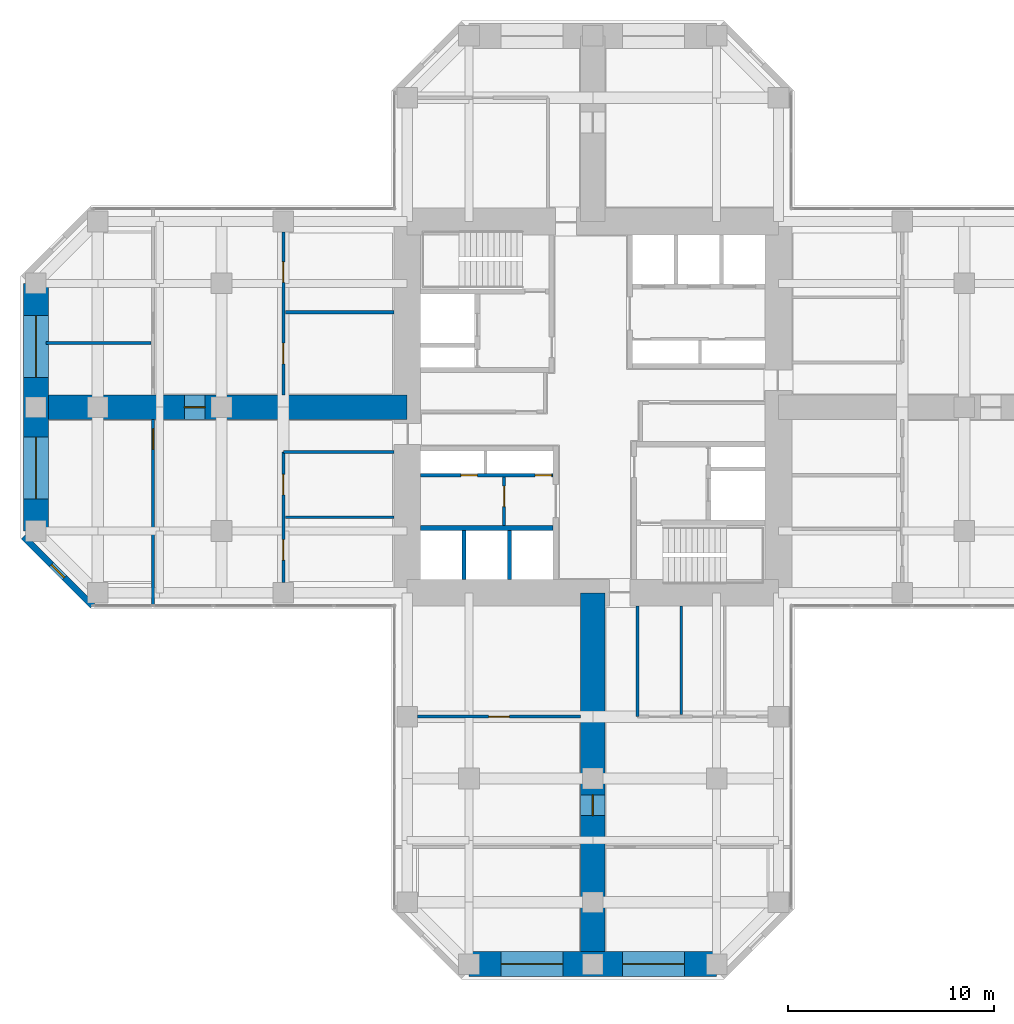
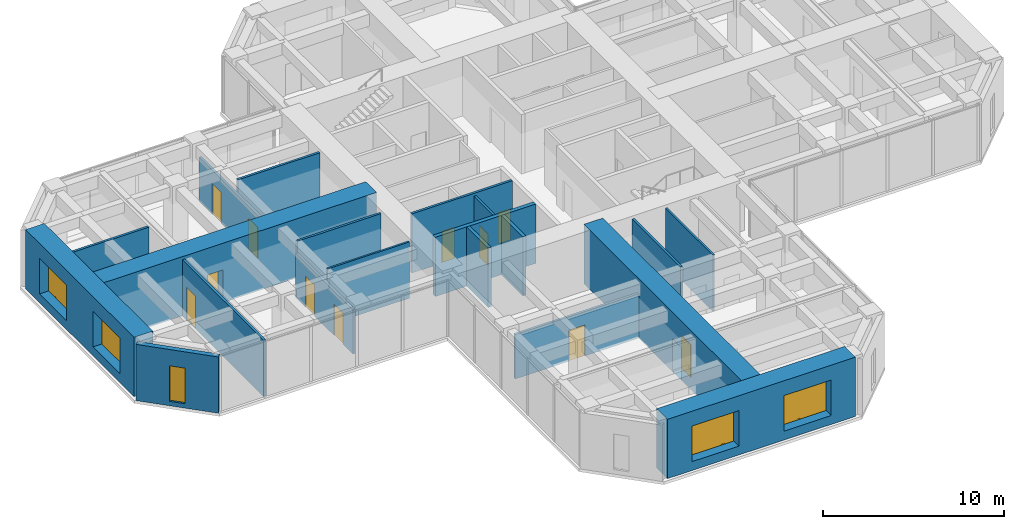
# One storey, part 8 of 13: 20 walls, 11 doors, 5 windows, 16 openings.
"""IFC4 building model written with IfcOpenShell, lengths in metres."""

from ifc_helpers import new_model, si_unit, direction, frame, frame_2d, origin, place, context, subcontext, project, spatial, rectangle, hollow_rectangle, extrude, material, layer, layer_set, constituent, constituent_set, type_object, element, fill, save


model = new_model("IFC4")

# Units and contexts
model_context = context("Model", 3, precision=1e-05, world=origin(), true_north=direction((0.0, 1.0)))
body_context = subcontext(model_context, "Body", "Model", "MODEL_VIEW")
ifc_project = project(units=[si_unit("LENGTHUNIT", "METRE"), si_unit("AREAUNIT", "SQUARE_METRE"), si_unit("VOLUMEUNIT", "CUBIC_METRE"), si_unit("PLANEANGLEUNIT", "RADIAN"), si_unit("MASSUNIT", "GRAM", prefix="KILO")], contexts=[model_context])

# Site, building, storey
site_placement = place(None, origin())
site = spatial("IfcSite", under=ifc_project, at=site_placement, CompositionType="ELEMENT")
building_placement = place(site_placement, origin())
building = spatial("IfcBuilding", under=site, at=building_placement, Name="Torre Cruceta", CompositionType="ELEMENT")
storey_placement = place(building_placement, frame((0.0, 0.0, 124.5)))
storey = spatial("IfcBuildingStorey", under=building, at=storey_placement, Name="L30", CompositionType="ELEMENT", Elevation=124.5)

# Wall
ifc_material_1 = material(Name="Concrete G60 (fck 60 MPa)", Category="concrete")
ifc_layer_1 = layer(ifc_material_1, 0.25)
ifc_layer_set_1 = layer_set([ifc_layer_1], Name="Concrete G60 (fck 60 MPa)")
wall_type_1 = type_object("IfcWallType", Name="CORE INNER WALL 250 G60", PredefinedType="SHEAR", material=ifc_layer_set_1)
wall_1_placement = place(storey_placement, frame((-1.925048828125, -5.85009765625, 0.0), z_axis=(0.0, 0.0, 1.0), x_axis=(-1.0, 0.0, 0.0)))
element("IfcWall", 1, at=wall_1_placement, inside=storey, type_object=wall_type_1, Name="CW4 L30 SW-LV", PredefinedType="SHEAR", context=body_context, shape_type="SweptSolid", body=[
    extrude(rectangle(XDim=6.425048828125, YDim=0.25, at=frame_2d((3.21240234375, 0.0))), origin(), (0.0, 0.0, 1.0), 4.0),
])

# Wall, opening, window
ifc_material_2 = material(Name="Concrete G30 (fck 30 MPa)", Category="concrete")
ifc_layer_2 = layer(ifc_material_2, 0.300048828125)
ifc_layer_set_2 = layer_set([ifc_layer_2], Name="Concrete G30 (fck 30 MPa)")
wall_type_2 = type_object("IfcWallType", Name="EXPOSED CONCRETE FACADE WALL 300", PredefinedType="SOLIDWALL", material=ifc_layer_set_2)
wall_2_placement = place(storey_placement, frame((-27.60009765625, -6.27685546875, 0.0), z_axis=(0.0, 0.0, 1.0), x_axis=(0.707106781187, -0.707106781187, 0.0)))
wall_2 = element("IfcWall", 2, at=wall_2_placement, inside=storey, type_object=wall_type_2, Name="EW1 facade wall L30 W chamfer 13", PredefinedType="SOLIDWALL", context=body_context, shape_type="SweptSolid", body=[
    extrude(rectangle(XDim=4.72802734375, YDim=0.300048828125, at=frame_2d((2.364013671875, 0.0))), origin(), (0.0, 0.0, 1.0), 3.800048828125),
])
opening_1_placement = place(wall_2_placement, frame((1.9140625, 0.0, 0.300048828125)))
opening_1 = element("IfcOpeningElement", 3, at=opening_1_placement, cuts=wall_2, Name="Opening WN5", PredefinedType="OPENING", context=body_context, shape_type="SweptSolid", body=[
    extrude(rectangle(XDim=0.89990234375, YDim=2.39990234375, at=frame_2d((0.449951171875, 1.199951171875))), frame((0.0, 0.159912109375, 0.0), z_axis=(0.0, -1.0, 0.0), x_axis=(1.0, 0.0, 0.0)), (0.0, 0.0, 1.0), 0.320068359375),
])
ifc_material_3 = material(Name="Aluminium window frame", Category="aluminium")
ifc_constituent_1 = constituent(ifc_material_3, Name="Frame")
ifc_material_4 = material(Name="Laminated insulating glass unit, low-iron clear", Category="glass")
ifc_constituent_2 = constituent(ifc_material_4, Name="Glazing")
ifc_constituent_set_1 = constituent_set(constituents=[ifc_constituent_1, ifc_constituent_2], Name="Aluminium window")
window_type_1 = type_object("IfcWindowType", Name="CHAMFER SLOT WINDOW 900X2400", PartitioningType="SINGLE_PANEL", PredefinedType="WINDOW", material=ifc_constituent_set_1)
window_1_placement = place(opening_1_placement, origin())
window_1 = element("IfcWindow", 4, at=window_1_placement, inside=storey, type_object=window_type_1, Name="WN5 L30 W 1", OverallHeight=2.39990234375, OverallWidth=0.89990234375, PartitioningType="SINGLE_PANEL", PredefinedType="WINDOW", context=body_context, shape_type="SweptSolid", body=[
    extrude(hollow_rectangle(XDim=0.89990234375, YDim=2.39990234375, WallThickness=0.06005859375, at=frame_2d((0.449951171875, 1.199951171875))), frame((0.0, 0.030029296875, 0.0), z_axis=(0.0, -1.0, 0.0), x_axis=(1.0, 0.0, 0.0)), (0.0, 0.0, 1.0), 0.06005859375),
    extrude(rectangle(XDim=0.77880859375, YDim=2.27880859375, at=frame_2d((0.449951171875, 1.199951171875))), frame((0.0, 0.030029296875, 0.0), z_axis=(0.0, -1.0, 0.0), x_axis=(1.0, 0.0, 0.0)), (0.0, 0.0, 1.0), 0.06005859375),
])
fill(opening_1, window_1)

# Walls
ifc_material_5 = material(Name="Concrete G35 (fck 35 MPa)", Category="concrete")
ifc_layer_3 = layer(ifc_material_5, 0.199951171875)
ifc_layer_set_3 = layer_set([ifc_layer_3], Name="Concrete G35 (fck 35 MPa)")
wall_type_3 = type_object("IfcWallType", Name="LIFT SHAFT WALL 200", PredefinedType="PARTITIONING", material=ifc_layer_set_3)
for number, where, z_axis, x_axis, name in (
    (5, (-4.033447265625, -5.97509765625, 0.0), (0.0, 0.0, 1.0), (0.0, -1.0, 0.0), "SW1 L30 SW-LS1"),
    (6, (-6.24169921875, -5.97509765625, 0.0), (0.0, 0.0, 1.0), (0.0, -1.0, 0.0), "SW1 L30 SW-LS2"),
):
    element("IfcWall", number, at=place(storey_placement, frame(where, z_axis=z_axis, x_axis=x_axis)), inside=storey, type_object=wall_type_3, Name=name, PredefinedType="PARTITIONING", context=body_context, shape_type="SweptSolid", body=[
        extrude(rectangle(XDim=2.375, YDim=0.199951171875, at=frame_2d((1.1875, 0.0))), origin(), (0.0, 0.0, 1.0), 4.0),
    ])

# Wall, openings, windows
ifc_material_6 = material(Name="Concrete G60 (fck 60 MPa)", Category="concrete")
ifc_layer_4 = layer(ifc_material_6, 1.199951171875)
ifc_layer_set_4 = layer_set([ifc_layer_4], Name="Concrete G60 (fck 60 MPa)")
wall_type_4 = type_object("IfcWallType", Name="NOSE WALL 1200 G60", PredefinedType="SHEAR", material=ifc_layer_set_4)
wall_3_placement = place(storey_placement, frame((-6.0, -27.0, 0.0), z_axis=(0.0, 0.0, 1.0), x_axis=(1.0, 0.0, 0.0)))
wall_3 = element("IfcWall", 7, at=wall_3_placement, inside=storey, type_object=wall_type_4, Name="NW1 nose wall L30 S", PredefinedType="SHEAR", context=body_context, shape_type="SweptSolid", body=[
    extrude(rectangle(XDim=12.0, YDim=1.199951171875, at=frame_2d((6.0, 0.0))), origin(), (0.0, 0.0, 1.0), 4.0),
])
opening_2_placement = place(wall_3_placement, frame((1.550048828125, 0.0, 0.60009765625)))
opening_2 = element("IfcOpeningElement", 8, at=opening_2_placement, cuts=wall_3, Name="Opening WN6", PredefinedType="OPENING", context=body_context, shape_type="SweptSolid", body=[
    extrude(rectangle(XDim=3.0, YDim=2.39990234375, at=frame_2d((1.5, 1.199951171875))), frame((0.0, 0.60986328125, 0.0), z_axis=(0.0, -1.0, 0.0), x_axis=(1.0, 0.0, 0.0)), (0.0, 0.0, 1.0), 1.219970703125),
])
opening_3_placement = place(wall_3_placement, frame((7.449951171875, 0.0, 0.60009765625)))
opening_3 = element("IfcOpeningElement", 9, at=opening_3_placement, cuts=wall_3, Name="Opening WN6", PredefinedType="OPENING", context=body_context, shape_type="SweptSolid", body=[
    extrude(rectangle(XDim=3.0, YDim=2.39990234375, at=frame_2d((1.5, 1.199951171875))), frame((0.0, 0.60986328125, 0.0), z_axis=(0.0, -1.0, 0.0), x_axis=(1.0, 0.0, 0.0)), (0.0, 0.0, 1.0), 1.219970703125),
])
ifc_material_7 = material(Name="Aluminium window frame", Category="aluminium")
ifc_constituent_3 = constituent(ifc_material_7, Name="Frame")
ifc_material_8 = material(Name="Laminated insulating glass unit, low-iron clear", Category="glass")
ifc_constituent_4 = constituent(ifc_material_8, Name="Glazing")
ifc_constituent_set_2 = constituent_set(constituents=[ifc_constituent_3, ifc_constituent_4], Name="Aluminium window")
window_type_2 = type_object("IfcWindowType", Name="NOSE WALL WINDOW 3000X2400", PartitioningType="SINGLE_PANEL", PredefinedType="WINDOW", material=ifc_constituent_set_2)
window_2_placement = place(opening_2_placement, origin())
window_2 = element("IfcWindow", 10, at=window_2_placement, inside=storey, type_object=window_type_2, Name="WN6 L30 S 1", OverallHeight=2.39990234375, OverallWidth=3.0, PartitioningType="SINGLE_PANEL", PredefinedType="WINDOW", context=body_context, shape_type="SweptSolid", body=[
    extrude(hollow_rectangle(XDim=3.0, YDim=2.39990234375, WallThickness=0.06005859375, at=frame_2d((1.5, 1.199951171875))), frame((0.0, 0.030029296875, 0.0), z_axis=(0.0, -1.0, 0.0), x_axis=(1.0, 0.0, 0.0)), (0.0, 0.0, 1.0), 0.06005859375),
    extrude(rectangle(XDim=2.87890625, YDim=2.27880859375, at=frame_2d((1.5, 1.199951171875))), frame((0.0, 0.030029296875, 0.0), z_axis=(0.0, -1.0, 0.0), x_axis=(1.0, 0.0, 0.0)), (0.0, 0.0, 1.0), 0.06005859375),
])
fill(opening_2, window_2)
window_3_placement = place(opening_3_placement, origin())
window_3 = element("IfcWindow", 11, at=window_3_placement, inside=storey, type_object=window_type_2, Name="WN6 L30 S 2", OverallHeight=2.39990234375, OverallWidth=3.0, PartitioningType="SINGLE_PANEL", PredefinedType="WINDOW", context=body_context, shape_type="SweptSolid", body=[
    extrude(hollow_rectangle(XDim=3.0, YDim=2.39990234375, WallThickness=0.06005859375, at=frame_2d((1.5, 1.199951171875))), frame((0.0, 0.030029296875, 0.0), z_axis=(0.0, -1.0, 0.0), x_axis=(1.0, 0.0, 0.0)), (0.0, 0.0, 1.0), 0.06005859375),
    extrude(rectangle(XDim=2.87890625, YDim=2.27880859375, at=frame_2d((1.5, 1.199951171875))), frame((0.0, 0.030029296875, 0.0), z_axis=(0.0, -1.0, 0.0), x_axis=(1.0, 0.0, 0.0)), (0.0, 0.0, 1.0), 0.06005859375),
])
fill(opening_3, window_3)

wall_4_placement = place(storey_placement, frame((-27.0, 6.0, 0.0), z_axis=(0.0, 0.0, 1.0), x_axis=(0.0, -1.0, 0.0)))
wall_4 = element("IfcWall", 12, at=wall_4_placement, inside=storey, type_object=wall_type_4, Name="NW1 nose wall L30 W", PredefinedType="SHEAR", context=body_context, shape_type="SweptSolid", body=[
    extrude(rectangle(XDim=12.0, YDim=1.199951171875, at=frame_2d((6.0, 0.0))), origin(), (0.0, 0.0, 1.0), 4.0),
])
opening_4_placement = place(wall_4_placement, frame((1.550048828125, 0.0, 0.60009765625)))
opening_4 = element("IfcOpeningElement", 13, at=opening_4_placement, cuts=wall_4, Name="Opening WN6", PredefinedType="OPENING", context=body_context, shape_type="SweptSolid", body=[
    extrude(rectangle(XDim=3.0, YDim=2.39990234375, at=frame_2d((1.5, 1.199951171875))), frame((0.0, 0.60986328125, 0.0), z_axis=(0.0, -1.0, 0.0), x_axis=(1.0, 0.0, 0.0)), (0.0, 0.0, 1.0), 1.219970703125),
])
opening_5_placement = place(wall_4_placement, frame((7.449951171875, 0.0, 0.60009765625)))
opening_5 = element("IfcOpeningElement", 14, at=opening_5_placement, cuts=wall_4, Name="Opening WN6", PredefinedType="OPENING", context=body_context, shape_type="SweptSolid", body=[
    extrude(rectangle(XDim=3.0, YDim=2.39990234375, at=frame_2d((1.5, 1.199951171875))), frame((0.0, 0.60986328125, 0.0), z_axis=(0.0, -1.0, 0.0), x_axis=(1.0, 0.0, 0.0)), (0.0, 0.0, 1.0), 1.219970703125),
])
window_4_placement = place(opening_4_placement, origin())
window_4 = element("IfcWindow", 15, at=window_4_placement, inside=storey, type_object=window_type_2, Name="WN6 L30 W 1", OverallHeight=2.39990234375, OverallWidth=3.0, PartitioningType="SINGLE_PANEL", PredefinedType="WINDOW", context=body_context, shape_type="SweptSolid", body=[
    extrude(hollow_rectangle(XDim=3.0, YDim=2.39990234375, WallThickness=0.06005859375, at=frame_2d((1.5, 1.199951171875))), frame((0.0, 0.030029296875, 0.0), z_axis=(0.0, -1.0, 0.0), x_axis=(1.0, 0.0, 0.0)), (0.0, 0.0, 1.0), 0.06005859375),
    extrude(rectangle(XDim=2.87890625, YDim=2.27880859375, at=frame_2d((1.5, 1.199951171875))), frame((0.0, 0.030029296875, 0.0), z_axis=(0.0, -1.0, 0.0), x_axis=(1.0, 0.0, 0.0)), (0.0, 0.0, 1.0), 0.06005859375),
])
fill(opening_4, window_4)
window_5_placement = place(opening_5_placement, origin())
window_5 = element("IfcWindow", 16, at=window_5_placement, inside=storey, type_object=window_type_2, Name="WN6 L30 W 2", OverallHeight=2.39990234375, OverallWidth=3.0, PartitioningType="SINGLE_PANEL", PredefinedType="WINDOW", context=body_context, shape_type="SweptSolid", body=[
    extrude(hollow_rectangle(XDim=3.0, YDim=2.39990234375, WallThickness=0.06005859375, at=frame_2d((1.5, 1.199951171875))), frame((0.0, 0.030029296875, 0.0), z_axis=(0.0, -1.0, 0.0), x_axis=(1.0, 0.0, 0.0)), (0.0, 0.0, 1.0), 0.06005859375),
    extrude(rectangle(XDim=2.87890625, YDim=2.27880859375, at=frame_2d((1.5, 1.199951171875))), frame((0.0, 0.030029296875, 0.0), z_axis=(0.0, -1.0, 0.0), x_axis=(1.0, 0.0, 0.0)), (0.0, 0.0, 1.0), 0.06005859375),
])
fill(opening_5, window_5)

# Wall, opening, door
ifc_material_9 = material(Name="Plasterboard on steel studs", Category="steel")
ifc_layer_5 = layer(ifc_material_9, 0.14990234375)
ifc_layer_set_5 = layer_set([ifc_layer_5], Name="Plasterboard on steel studs")
wall_type_5 = type_object("IfcWallType", Name="PARTITION 150", PredefinedType="PARTITIONING", material=ifc_layer_set_5)
wall_5_placement = place(storey_placement, frame((-4.300048828125, -3.375, 0.0), z_axis=(0.0, 0.0, 1.0), x_axis=(0.0, -1.0, 0.0)))
wall_5 = element("IfcWall", 17, at=wall_5_placement, inside=storey, type_object=wall_type_5, Name="PT1 L30-CORE-SW-X", PredefinedType="PARTITIONING", context=body_context, shape_type="SweptSolid", body=[
    extrude(rectangle(XDim=2.35009765625, YDim=0.14990234375, at=frame_2d((1.175048828125, 0.0))), origin(), (0.0, 0.0, 1.0), 3.800048828125),
])
opening_6_placement = place(wall_5_placement, frame((0.449951171875, 0.0, 0.0)))
opening_6 = element("IfcOpeningElement", 18, at=opening_6_placement, cuts=wall_5, Name="Opening D3", PredefinedType="OPENING", context=body_context, shape_type="SweptSolid", body=[
    extrude(rectangle(XDim=1.0, YDim=2.10009765625, at=frame_2d((0.5, 1.050048828125))), frame((0.0, 0.0849609375, 0.0), z_axis=(0.0, -1.0, 0.0), x_axis=(1.0, 0.0, 0.0)), (0.0, 0.0, 1.0), 0.169921875),
])
ifc_material_10 = material(Name="Steel DX51D", Category="steel")
ifc_constituent_5 = constituent(ifc_material_10, Name="Leaf and frame")
ifc_material_11 = material(Name="Polyester powder coating", Category="paint")
ifc_constituent_6 = constituent(ifc_material_11, Name="Finish")
ifc_constituent_set_3 = constituent_set(constituents=[ifc_constituent_5, ifc_constituent_6], Name="Steel fire door")
door_type_1 = type_object("IfcDoorType", Name="FIRE DOOR 1000X2100", OperationType="SINGLE_SWING_LEFT", PredefinedType="DOOR", material=ifc_constituent_set_3)
door_1_placement = place(opening_6_placement, origin())
door_1 = element("IfcDoor", 19, at=door_1_placement, inside=storey, type_object=door_type_1, Name="D3 L30-CORE-SW-X-D1", OperationType="SINGLE_SWING_LEFT", OverallHeight=2.10009765625, OverallWidth=1.0, PredefinedType="DOOR", context=body_context, shape_type="SweptSolid", body=[
    extrude(rectangle(XDim=1.0, YDim=2.10009765625, at=frame_2d((0.5, 1.050048828125))), frame((0.0, 0.02490234375, 0.0), z_axis=(0.0, -1.0, 0.0), x_axis=(1.0, 0.0, 0.0)), (0.0, 0.0, 1.0), 0.050048828125),
])
fill(opening_6, door_1)

# Wall
wall_6_placement = place(storey_placement, frame((2.175048828125, -9.64990234375, 0.0), z_axis=(0.0, 0.0, 1.0), x_axis=(0.0, -1.0, 0.0)))
element("IfcWall", 20, at=wall_6_placement, inside=storey, type_object=wall_type_5, Name="PT1 L30-S-BSL", PredefinedType="PARTITIONING", context=body_context, shape_type="SweptSolid", body=[
    extrude(rectangle(XDim=5.35009765625, YDim=0.14990234375, at=frame_2d((2.675048828125, 0.0))), origin(), (0.0, 0.0, 1.0), 3.800048828125),
])

# Wall, opening, door
wall_7_placement = place(storey_placement, frame((-8.5, -15.0, 0.0), z_axis=(0.0, 0.0, 1.0), x_axis=(1.0, 0.0, 0.0)))
wall_7 = element("IfcWall", 21, at=wall_7_placement, inside=storey, type_object=wall_type_5, Name="PT1 L30-S-BFR", PredefinedType="PARTITIONING", context=body_context, shape_type="SweptSolid", body=[
    extrude(rectangle(XDim=7.89990234375, YDim=0.14990234375, at=frame_2d((3.949951171875, 0.0))), origin(), (0.0, 0.0, 1.0), 3.0),
])
opening_7_placement = place(wall_7_placement, frame((3.449951171875, 0.0, 0.0)))
opening_7 = element("IfcOpeningElement", 22, at=opening_7_placement, cuts=wall_7, Name="Opening D3", PredefinedType="OPENING", context=body_context, shape_type="SweptSolid", body=[
    extrude(rectangle(XDim=1.0, YDim=2.10009765625, at=frame_2d((0.5, 1.050048828125))), frame((0.0, 0.0849609375, 0.0), z_axis=(0.0, -1.0, 0.0), x_axis=(1.0, 0.0, 0.0)), (0.0, 0.0, 1.0), 0.169921875),
])
door_2_placement = place(opening_7_placement, origin())
door_2 = element("IfcDoor", 23, at=door_2_placement, inside=storey, type_object=door_type_1, Name="D3 L30-S-BFR-D1", OperationType="SINGLE_SWING_RIGHT", OverallHeight=2.10009765625, OverallWidth=1.0, PredefinedType="DOOR", context=body_context, shape_type="SweptSolid", body=[
    extrude(rectangle(XDim=1.0, YDim=2.10009765625, at=frame_2d((0.5, 1.050048828125))), frame((0.0, 0.02490234375, 0.0), z_axis=(0.0, -1.0, 0.0), x_axis=(1.0, 0.0, 0.0)), (0.0, 0.0, 1.0), 0.050048828125),
])
fill(opening_7, door_2)

# Wall, openings, doors
wall_8_placement = place(storey_placement, frame((-15.0, -2.175048828125, 0.0), z_axis=(0.0, 0.0, 1.0), x_axis=(0.0, -1.0, 0.0)))
wall_8 = element("IfcWall", 24, at=wall_8_placement, inside=storey, type_object=wall_type_5, Name="PT1 L30-W-BFL", PredefinedType="PARTITIONING", context=body_context, shape_type="SweptSolid", body=[
    extrude(rectangle(XDim=6.324951171875, YDim=0.14990234375, at=frame_2d((3.16259765625, 0.0))), origin(), (0.0, 0.0, 1.0), 3.0),
])
opening_8_placement = place(wall_8_placement, frame((1.081298828125, 0.0, 0.0)))
opening_8 = element("IfcOpeningElement", 25, at=opening_8_placement, cuts=wall_8, Name="Opening D3", PredefinedType="OPENING", context=body_context, shape_type="SweptSolid", body=[
    extrude(rectangle(XDim=1.0, YDim=2.10009765625, at=frame_2d((0.5, 1.050048828125))), frame((0.0, 0.0849609375, 0.0), z_axis=(0.0, -1.0, 0.0), x_axis=(1.0, 0.0, 0.0)), (0.0, 0.0, 1.0), 0.169921875),
])
opening_9_placement = place(wall_8_placement, frame((4.243896484375, 0.0, 0.0)))
opening_9 = element("IfcOpeningElement", 26, at=opening_9_placement, cuts=wall_8, Name="Opening D3", PredefinedType="OPENING", context=body_context, shape_type="SweptSolid", body=[
    extrude(rectangle(XDim=1.0, YDim=2.10009765625, at=frame_2d((0.5, 1.050048828125))), frame((0.0, 0.0849609375, 0.0), z_axis=(0.0, -1.0, 0.0), x_axis=(1.0, 0.0, 0.0)), (0.0, 0.0, 1.0), 0.169921875),
])
door_3_placement = place(opening_8_placement, origin())
door_3 = element("IfcDoor", 27, at=door_3_placement, inside=storey, type_object=door_type_1, Name="D3 L30-W-BFL-D1", OperationType="SINGLE_SWING_LEFT", OverallHeight=2.10009765625, OverallWidth=1.0, PredefinedType="DOOR", context=body_context, shape_type="SweptSolid", body=[
    extrude(rectangle(XDim=1.0, YDim=2.10009765625, at=frame_2d((0.5, 1.050048828125))), frame((0.0, 0.02490234375, 0.0), z_axis=(0.0, -1.0, 0.0), x_axis=(1.0, 0.0, 0.0)), (0.0, 0.0, 1.0), 0.050048828125),
])
fill(opening_8, door_3)
door_4_placement = place(opening_9_placement, origin())
door_4 = element("IfcDoor", 28, at=door_4_placement, inside=storey, type_object=door_type_1, Name="D3 L30-W-BFL-D2", OperationType="SINGLE_SWING_LEFT", OverallHeight=2.10009765625, OverallWidth=1.0, PredefinedType="DOOR", context=body_context, shape_type="SweptSolid", body=[
    extrude(rectangle(XDim=1.0, YDim=2.10009765625, at=frame_2d((0.5, 1.050048828125))), frame((0.0, 0.02490234375, 0.0), z_axis=(0.0, -1.0, 0.0), x_axis=(1.0, 0.0, 0.0)), (0.0, 0.0, 1.0), 0.050048828125),
])
fill(opening_9, door_4)

# Wall
wall_9_placement = place(storey_placement, frame((-9.64990234375, -2.175048828125, 0.0), z_axis=(0.0, 0.0, 1.0), x_axis=(-1.0, 0.0, 0.0)))
element("IfcWall", 29, at=wall_9_placement, inside=storey, type_object=wall_type_5, Name="PT1 L30-W-BSL", PredefinedType="PARTITIONING", context=body_context, shape_type="SweptSolid", body=[
    extrude(rectangle(XDim=5.35009765625, YDim=0.14990234375, at=frame_2d((2.675048828125, 0.0))), origin(), (0.0, 0.0, 1.0), 3.800048828125),
])

# Wall, openings, doors
wall_10_placement = place(storey_placement, frame((-15.0, 8.5, 0.0), z_axis=(0.0, 0.0, 1.0), x_axis=(0.0, -1.0, 0.0)))
wall_10 = element("IfcWall", 30, at=wall_10_placement, inside=storey, type_object=wall_type_5, Name="PT1 L30-W-BFR", PredefinedType="PARTITIONING", context=body_context, shape_type="SweptSolid", body=[
    extrude(rectangle(XDim=7.89990234375, YDim=0.14990234375, at=frame_2d((3.949951171875, 0.0))), origin(), (0.0, 0.0, 1.0), 3.0),
])
opening_10_placement = place(wall_10_placement, frame((1.449951171875, 0.0, 0.0)))
opening_10 = element("IfcOpeningElement", 31, at=opening_10_placement, cuts=wall_10, Name="Opening D3", PredefinedType="OPENING", context=body_context, shape_type="SweptSolid", body=[
    extrude(rectangle(XDim=1.0, YDim=2.10009765625, at=frame_2d((0.5, 1.050048828125))), frame((0.0, 0.0849609375, 0.0), z_axis=(0.0, -1.0, 0.0), x_axis=(1.0, 0.0, 0.0)), (0.0, 0.0, 1.0), 0.169921875),
])
opening_11_placement = place(wall_10_placement, frame((5.39990234375, 0.0, 0.0)))
opening_11 = element("IfcOpeningElement", 32, at=opening_11_placement, cuts=wall_10, Name="Opening D3", PredefinedType="OPENING", context=body_context, shape_type="SweptSolid", body=[
    extrude(rectangle(XDim=1.0, YDim=2.10009765625, at=frame_2d((0.5, 1.050048828125))), frame((0.0, 0.0849609375, 0.0), z_axis=(0.0, -1.0, 0.0), x_axis=(1.0, 0.0, 0.0)), (0.0, 0.0, 1.0), 0.169921875),
])
door_5_placement = place(opening_10_placement, origin())
door_5 = element("IfcDoor", 33, at=door_5_placement, inside=storey, type_object=door_type_1, Name="D3 L30-W-BFR-D1", OperationType="SINGLE_SWING_RIGHT", OverallHeight=2.10009765625, OverallWidth=1.0, PredefinedType="DOOR", context=body_context, shape_type="SweptSolid", body=[
    extrude(rectangle(XDim=1.0, YDim=2.10009765625, at=frame_2d((0.5, 1.050048828125))), frame((0.0, 0.02490234375, 0.0), z_axis=(0.0, -1.0, 0.0), x_axis=(1.0, 0.0, 0.0)), (0.0, 0.0, 1.0), 0.050048828125),
])
fill(opening_10, door_5)
door_6_placement = place(opening_11_placement, origin())
door_6 = element("IfcDoor", 34, at=door_6_placement, inside=storey, type_object=door_type_1, Name="D3 L30-W-BFR-D2", OperationType="SINGLE_SWING_LEFT", OverallHeight=2.10009765625, OverallWidth=1.0, PredefinedType="DOOR", context=body_context, shape_type="SweptSolid", body=[
    extrude(rectangle(XDim=1.0, YDim=2.10009765625, at=frame_2d((0.5, 1.050048828125))), frame((0.0, 0.02490234375, 0.0), z_axis=(0.0, -1.0, 0.0), x_axis=(1.0, 0.0, 0.0)), (0.0, 0.0, 1.0), 0.050048828125),
])
fill(opening_11, door_6)

# Wall
wall_11_placement = place(storey_placement, frame((-9.64990234375, 4.60009765625, 0.0), z_axis=(0.0, 0.0, 1.0), x_axis=(-1.0, 0.0, 0.0)))
element("IfcWall", 35, at=wall_11_placement, inside=storey, type_object=wall_type_5, Name="PT1 L30-W-BDR1", PredefinedType="PARTITIONING", context=body_context, shape_type="SweptSolid", body=[
    extrude(rectangle(XDim=5.25, YDim=0.14990234375, at=frame_2d((2.625, 0.0))), origin(), (0.0, 0.0, 1.0), 3.800048828125),
])

# Wall, opening, door
wall_12_placement = place(storey_placement, frame((-21.320068359375, -0.60009765625, 0.0), z_axis=(0.0, 0.0, 1.0), x_axis=(0.0, -1.0, 0.0)))
wall_12 = element("IfcWall", 36, at=wall_12_placement, inside=storey, type_object=wall_type_5, Name="PT1 L30-W-TWL", PredefinedType="PARTITIONING", context=body_context, shape_type="SweptSolid", body=[
    extrude(rectangle(XDim=8.97998046875, YDim=0.14990234375, at=frame_2d((4.489990234375, 0.0))), origin(), (0.0, 0.0, 1.0), 3.800048828125),
])
opening_12_placement = place(wall_12_placement, frame((0.449951171875, 0.0, 0.0)))
opening_12 = element("IfcOpeningElement", 37, at=opening_12_placement, cuts=wall_12, Name="Opening D14", PredefinedType="OPENING", context=body_context, shape_type="SweptSolid", body=[
    extrude(rectangle(XDim=1.0, YDim=2.199951171875, at=frame_2d((0.5, 1.10009765625))), frame((0.0, 0.0849609375, 0.0), z_axis=(0.0, -1.0, 0.0), x_axis=(1.0, 0.0, 0.0)), (0.0, 0.0, 1.0), 0.169921875),
])
ifc_material_12 = material(Name="Steel DX51D", Category="steel")
ifc_constituent_7 = constituent(ifc_material_12, Name="Leaf and frame")
ifc_material_13 = material(Name="Polyester powder coating", Category="paint")
ifc_constituent_8 = constituent(ifc_material_13, Name="Finish")
ifc_material_14 = material(Name="Fire-resisting glass", Category="glass")
ifc_constituent_9 = constituent(ifc_material_14, Name="Vision panel")
ifc_constituent_set_4 = constituent_set(constituents=[ifc_constituent_7, ifc_constituent_8, ifc_constituent_9], Name="Steel fire door with vision panel")
door_type_2 = type_object("IfcDoorType", Name="FIRE DOOR VISION PANEL 1000X2200", OperationType="SINGLE_SWING_RIGHT", PredefinedType="DOOR", material=ifc_constituent_set_4)
door_7_placement = place(opening_12_placement, frame((1.0, 0.0, 0.0), z_axis=(0.0, 0.0, 1.0), x_axis=(-1.0, 0.0, 0.0)))
door_7 = element("IfcDoor", 38, at=door_7_placement, inside=storey, type_object=door_type_2, Name="D14 L30-W-TWL-D1", OperationType="SINGLE_SWING_RIGHT", OverallHeight=2.199951171875, OverallWidth=1.0, PredefinedType="DOOR", context=body_context, shape_type="SweptSolid", body=[
    extrude(rectangle(XDim=1.0, YDim=2.199951171875, at=frame_2d((0.5, 1.10009765625))), frame((0.0, 0.025146484375, 0.0), z_axis=(0.0, -1.0, 0.0), x_axis=(1.0, 0.0, 0.0)), (0.0, 0.0, 1.0), 0.050048828125),
])
fill(opening_12, door_7)

# Wall
wall_13_placement = place(storey_placement, frame((-21.419921875, 3.117919921875, 0.0), z_axis=(0.0, 0.0, 1.0), x_axis=(-1.0, 0.0, 0.0)))
element("IfcWall", 39, at=wall_13_placement, inside=storey, type_object=wall_type_5, Name="PT1 L30-W-TDR", PredefinedType="PARTITIONING", context=body_context, shape_type="SweptSolid", body=[
    extrude(rectangle(XDim=5.080078125, YDim=0.14990234375, at=frame_2d((2.5400390625, 0.0))), origin(), (0.0, 0.0, 1.0), 3.800048828125),
])

# Wall, openings, doors
ifc_material_15 = material(Name="Concrete block masonry", Category="masonry")
ifc_layer_6 = layer(ifc_material_15, 0.14990234375)
ifc_layer_set_6 = layer_set([ifc_layer_6], Name="Concrete block masonry")
wall_type_6 = type_object("IfcWallType", Name="RISER WALL 150", PredefinedType="PARTITIONING", material=ifc_layer_set_6)
wall_14_placement = place(storey_placement, frame((-1.925048828125, -3.300048828125, 0.0), z_axis=(0.0, 0.0, 1.0), x_axis=(-1.0, 0.0, 0.0)))
wall_14 = element("IfcWall", 40, at=wall_14_placement, inside=storey, type_object=wall_type_6, Name="SW7 L30 SW-RV", PredefinedType="PARTITIONING", context=body_context, shape_type="SweptSolid", body=[
    extrude(rectangle(XDim=6.425048828125, YDim=0.14990234375, at=frame_2d((3.21240234375, 0.0))), origin(), (0.0, 0.0, 1.0), 4.0),
])
opening_13_placement = place(wall_14_placement, frame((0.074951171875, 0.0, 0.0)))
opening_13 = element("IfcOpeningElement", 41, at=opening_13_placement, cuts=wall_14, Name="Opening D5", PredefinedType="OPENING", context=body_context, shape_type="SweptSolid", body=[
    extrude(rectangle(XDim=0.800048828125, YDim=2.10009765625, at=frame_2d((0.39990234375, 1.050048828125))), frame((0.0, 0.0849609375, 0.0), z_axis=(0.0, -1.0, 0.0), x_axis=(1.0, 0.0, 0.0)), (0.0, 0.0, 1.0), 0.169921875),
])
opening_14_placement = place(wall_14_placement, frame((3.675048828125, 0.0, 0.0)))
opening_14 = element("IfcOpeningElement", 42, at=opening_14_placement, cuts=wall_14, Name="Opening D5", PredefinedType="OPENING", context=body_context, shape_type="SweptSolid", body=[
    extrude(rectangle(XDim=0.800048828125, YDim=2.10009765625, at=frame_2d((0.39990234375, 1.050048828125))), frame((0.0, 0.0849609375, 0.0), z_axis=(0.0, -1.0, 0.0), x_axis=(1.0, 0.0, 0.0)), (0.0, 0.0, 1.0), 0.169921875),
])
ifc_material_16 = material(Name="Steel DX51D", Category="steel")
ifc_constituent_10 = constituent(ifc_material_16, Name="Leaf and frame")
ifc_material_17 = material(Name="Polyester powder coating", Category="paint")
ifc_constituent_11 = constituent(ifc_material_17, Name="Finish")
ifc_constituent_set_5 = constituent_set(constituents=[ifc_constituent_10, ifc_constituent_11], Name="Steel fire door")
door_type_3 = type_object("IfcDoorType", Name="RISER ACCESS DOOR 800X2100", OperationType="SINGLE_SWING_LEFT", PredefinedType="DOOR", material=ifc_constituent_set_5)
door_8_placement = place(opening_13_placement, frame((0.800048828125, 0.0, 0.0), z_axis=(0.0, 0.0, 1.0), x_axis=(-1.0, 0.0, 0.0)))
door_8 = element("IfcDoor", 43, at=door_8_placement, inside=storey, type_object=door_type_3, Name="D5 L30 SW-RISER1", OperationType="SINGLE_SWING_RIGHT", OverallHeight=2.10009765625, OverallWidth=0.800048828125, PredefinedType="DOOR", context=body_context, shape_type="SweptSolid", body=[
    extrude(rectangle(XDim=0.800048828125, YDim=2.10009765625, at=frame_2d((0.400146484375, 1.050048828125))), frame((0.0, 0.025146484375, 0.0), z_axis=(0.0, -1.0, 0.0), x_axis=(1.0, 0.0, 0.0)), (0.0, 0.0, 1.0), 0.050048828125),
])
fill(opening_13, door_8)
door_9_placement = place(opening_14_placement, frame((0.800048828125, 0.0, 0.0), z_axis=(0.0, 0.0, 1.0), x_axis=(-1.0, 0.0, 0.0)))
door_9 = element("IfcDoor", 44, at=door_9_placement, inside=storey, type_object=door_type_3, Name="D5 L30 SW-RISER2", OperationType="SINGLE_SWING_RIGHT", OverallHeight=2.10009765625, OverallWidth=0.800048828125, PredefinedType="DOOR", context=body_context, shape_type="SweptSolid", body=[
    extrude(rectangle(XDim=0.800048828125, YDim=2.10009765625, at=frame_2d((0.400146484375, 1.050048828125))), frame((0.0, 0.025146484375, 0.0), z_axis=(0.0, -1.0, 0.0), x_axis=(1.0, 0.0, 0.0)), (0.0, 0.0, 1.0), 0.050048828125),
])
fill(opening_14, door_9)

# Wall, opening, door
ifc_material_18 = material(Name="Concrete G60 (fck 60 MPa)", Category="concrete")
ifc_layer_7 = layer(ifc_material_18, 1.199951171875)
ifc_layer_set_7 = layer_set([ifc_layer_7], Name="Concrete G60 (fck 60 MPa)")
wall_type_7 = type_object("IfcWallType", Name="SPINE WALL 1200 G60", PredefinedType="SHEAR", material=ifc_layer_set_7)
wall_15_placement = place(storey_placement, frame((0.0, -9.0, 0.0), z_axis=(0.0, 0.0, 1.0), x_axis=(0.0, -1.0, 0.0)))
wall_15 = element("IfcWall", 45, at=wall_15_placement, inside=storey, type_object=wall_type_7, Name="SW3 spine wall L30 S", PredefinedType="SHEAR", context=body_context, shape_type="SweptSolid", body=[
    extrude(rectangle(XDim=18.0, YDim=1.199951171875, at=frame_2d((9.0, 0.0))), origin(), (0.0, 0.0, 1.0), 4.0),
])
opening_15_placement = place(wall_15_placement, frame((9.800048828125, 0.0, 0.0)))
opening_15 = element("IfcOpeningElement", 46, at=opening_15_placement, cuts=wall_15, Name="Opening D14", PredefinedType="OPENING", context=body_context, shape_type="SweptSolid", body=[
    extrude(rectangle(XDim=1.0, YDim=2.199951171875, at=frame_2d((0.5, 1.10009765625))), frame((0.0, 0.60986328125, 0.0), z_axis=(0.0, -1.0, 0.0), x_axis=(1.0, 0.0, 0.0)), (0.0, 0.0, 1.0), 1.219970703125),
])
door_10_placement = place(opening_15_placement, frame((1.0, 0.0, 0.0), z_axis=(0.0, 0.0, 1.0), x_axis=(-1.0, 0.0, 0.0)))
door_10 = element("IfcDoor", 47, at=door_10_placement, inside=storey, type_object=door_type_2, Name="D14 L30-S-SP1", OperationType="SINGLE_SWING_LEFT", OverallHeight=2.199951171875, OverallWidth=1.0, PredefinedType="DOOR", context=body_context, shape_type="SweptSolid", body=[
    extrude(rectangle(XDim=1.0, YDim=2.199951171875, at=frame_2d((0.5, 1.10009765625))), frame((0.0, 0.025146484375, 0.0), z_axis=(0.0, -1.0, 0.0), x_axis=(1.0, 0.0, 0.0)), (0.0, 0.0, 1.0), 0.050048828125),
])
fill(opening_15, door_10)

wall_16_placement = place(storey_placement, frame((-9.0, 0.0, 0.0), z_axis=(0.0, 0.0, 1.0), x_axis=(-1.0, 0.0, 0.0)))
wall_16 = element("IfcWall", 48, at=wall_16_placement, inside=storey, type_object=wall_type_7, Name="SW3 spine wall L30 W", PredefinedType="SHEAR", context=body_context, shape_type="SweptSolid", body=[
    extrude(rectangle(XDim=18.0, YDim=1.199951171875, at=frame_2d((9.0, 0.0))), origin(), (0.0, 0.0, 1.0), 4.0),
])
opening_16_placement = place(wall_16_placement, frame((9.800048828125, 0.0, 0.0)))
opening_16 = element("IfcOpeningElement", 49, at=opening_16_placement, cuts=wall_16, Name="Opening D14", PredefinedType="OPENING", context=body_context, shape_type="SweptSolid", body=[
    extrude(rectangle(XDim=1.0, YDim=2.199951171875, at=frame_2d((0.5, 1.10009765625))), frame((0.0, 0.60986328125, 0.0), z_axis=(0.0, -1.0, 0.0), x_axis=(1.0, 0.0, 0.0)), (0.0, 0.0, 1.0), 1.219970703125),
])
door_11_placement = place(opening_16_placement, frame((1.0, 0.0, 0.0), z_axis=(0.0, 0.0, 1.0), x_axis=(-1.0, 0.0, 0.0)))
door_11 = element("IfcDoor", 50, at=door_11_placement, inside=storey, type_object=door_type_2, Name="D14 L30-W-SP1", OperationType="SINGLE_SWING_LEFT", OverallHeight=2.199951171875, OverallWidth=1.0, PredefinedType="DOOR", context=body_context, shape_type="SweptSolid", body=[
    extrude(rectangle(XDim=1.0, YDim=2.199951171875, at=frame_2d((0.5, 1.10009765625))), frame((0.0, 0.025146484375, 0.0), z_axis=(0.0, -1.0, 0.0), x_axis=(1.0, 0.0, 0.0)), (0.0, 0.0, 1.0), 0.050048828125),
])
fill(opening_16, door_11)

# Walls
ifc_material_19 = material(Name="Plasterboard on steel studs", Category="steel")
ifc_layer_8 = layer(ifc_material_19, 0.1201171875)
ifc_layer_set_8 = layer_set([ifc_layer_8], Name="Plasterboard on steel studs")
wall_type_8 = type_object("IfcWallType", Name="WC PARTITION 120", PredefinedType="PLUMBINGWALL", material=ifc_layer_set_8)
for number, where, z_axis, x_axis, name in (
    (51, (4.283447265625, -9.64990234375, 0.0), (0.0, 0.0, 1.0), (0.0, -1.0, 0.0), "PT5 L30-S-BDL1"),
    (52, (-9.64990234375, -5.33740234375, 0.0), (0.0, 0.0, 1.0), (-1.0, 0.0, 0.0), "PT5 L30-W-BDL1"),
):
    element("IfcWall", number, at=place(storey_placement, frame(where, z_axis=z_axis, x_axis=x_axis)), inside=storey, type_object=wall_type_8, Name=name, PredefinedType="PLUMBINGWALL", context=body_context, shape_type="SweptSolid", body=[
        extrude(rectangle(XDim=5.25, YDim=0.1201171875, at=frame_2d((2.625, 0.0))), origin(), (0.0, 0.0, 1.0), 3.800048828125),
    ])

save(model, "model.ifc")
